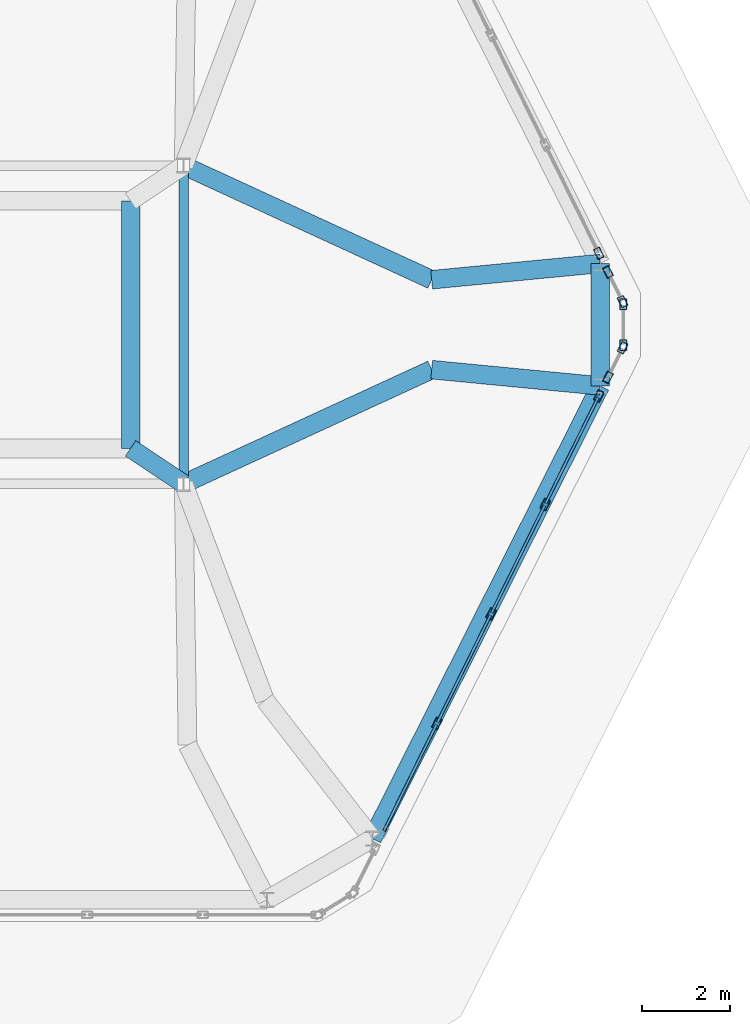
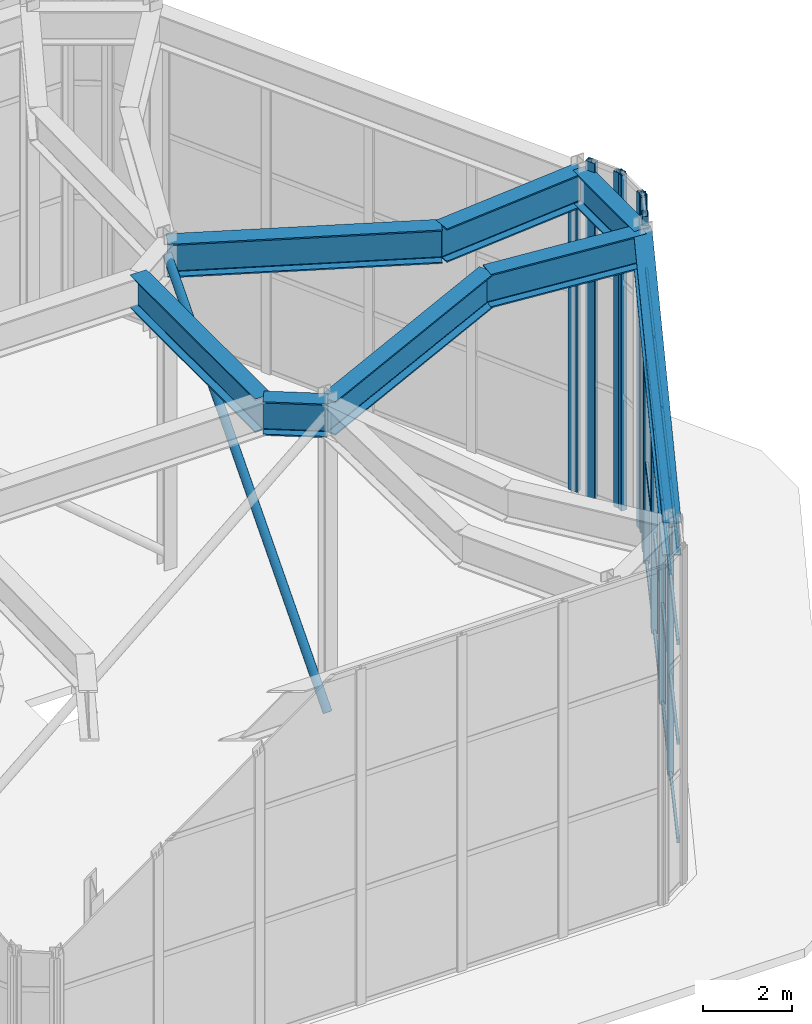
# One storey, part 4 of 10: 28 members, 8 beams, 5 elements without a shape of their own.
"""IFC4 building model written with IfcOpenShell, lengths in metres."""

import ifcopenshell
import ifcopenshell.guid

model = None  # the IFC model being written
_history = None  # IfcOwnerHistory: only IFC2X3 demands one
_inside = {}  # id of a spatial element -> (the spatial element, [elements in it])
_under = {}  # id of a project, library or spatial element -> (it, [spatial elements below it])
_declared = {}  # id of a project -> (the project, [libraries it declares])
_typed = {}  # id of a type object -> (the type object, [elements of that type])
_made_of = {}  # id of a material, layer set ... -> (it, [elements and type objects made of it])


def new_model(schema):
    """Start an empty IFC model of exactly this schema.

    Asked for "IFC4X3", IfcOpenShell would pick the latest addendum, in which some entities
    have other attributes; the version numbers below select the first issue.
    IFC2X3 requires an IfcOwnerHistory on every rooted entity: one is made here for all.
    """
    global model, _history
    if schema == "IFC4X3":
        model = ifcopenshell.file(schema_version=(4, 3, 0, 0))
    else:
        model = ifcopenshell.file(schema=schema)
    _inside.clear()
    _under.clear()
    _declared.clear()
    _typed.clear()
    _made_of.clear()
    _history = None
    if model.schema == "IFC2X3":
        org = make("IfcOrganization", Name="unknown")
        user = make(
            "IfcPersonAndOrganization",
            ThePerson=make("IfcPerson", FamilyName="unknown"),
            TheOrganization=org,
        )
        app = make(
            "IfcApplication",
            ApplicationDeveloper=org,
            Version="unknown",
            ApplicationFullName="unknown",
            ApplicationIdentifier="unknown",
        )
        _history = make(
            "IfcOwnerHistory",
            OwningUser=user,
            OwningApplication=app,
            ChangeAction="ADDED",
            CreationDate=0,
        )
    return model


def make(cls, **values):
    """One entity of the class cls with the attributes given. An attribute that is None is left unset."""
    return model.create_entity(
        cls, **{name: value for name, value in values.items() if value is not None}
    )


def rooted(cls, **values):
    """An entity with a GlobalId (a new one), such as an element, a storey or a relation."""
    return make(cls, GlobalId=ifcopenshell.guid.new(), OwnerHistory=_history, **values)


def si_unit(unit_type, name, prefix=None):
    """IfcSIUnit, for example si_unit("LENGTHUNIT", "METRE", prefix="MILLI")."""
    return make("IfcSIUnit", UnitType=unit_type, Prefix=prefix, Name=name)


def assignment(units):
    """IfcUnitAssignment: the units of a project."""
    return None if units is None else make("IfcUnitAssignment", Units=units)


def point(xyz):
    """IfcCartesianPoint."""
    return None if xyz is None else make("IfcCartesianPoint", Coordinates=xyz)


def direction(xyz):
    """IfcDirection."""
    return None if xyz is None else make("IfcDirection", DirectionRatios=xyz)


def frame(location, z_axis=None, x_axis=None):
    """IfcAxis2Placement3D, a coordinate frame: its origin and axes. An axis left out is left unset."""
    return make(
        "IfcAxis2Placement3D",
        Location=point(location),
        Axis=direction(z_axis),
        RefDirection=direction(x_axis),
    )


def frame_2d(location, x_axis=None):
    """IfcAxis2Placement2D, a coordinate frame in the plane: its origin and x axis."""
    return make(
        "IfcAxis2Placement2D", Location=point(location), RefDirection=direction(x_axis)
    )


def origin():
    """The frame at (0, 0, 0) with its axes left unset."""
    return frame((0.0, 0.0, 0.0))


def origin_2d():
    """The frame at (0, 0) in the plane with its x axis left unset."""
    return frame_2d((0.0, 0.0))


def place(relative_to, where):
    """IfcLocalPlacement: puts the frame where relative to a parent placement (None: the world)."""
    return make(
        "IfcLocalPlacement", PlacementRelTo=relative_to, RelativePlacement=where
    )


def context(
    kind, dimensions, precision=None, world=None, true_north=None, identifier=None
):
    """IfcGeometricRepresentationContext, for example the 3D "Model" context."""
    return make(
        "IfcGeometricRepresentationContext",
        ContextIdentifier=identifier,
        ContextType=kind,
        CoordinateSpaceDimension=dimensions,
        Precision=precision,
        WorldCoordinateSystem=world,
        TrueNorth=true_north,
    )


def subcontext(parent, identifier, kind, view, scale=None):
    """IfcGeometricRepresentationSubContext, for example "Body" below "Model"."""
    return make(
        "IfcGeometricRepresentationSubContext",
        ContextIdentifier=identifier,
        ContextType=kind,
        ParentContext=parent,
        TargetScale=scale,
        TargetView=view,
    )


def project(units=None, contexts=None):
    """IfcProject with its units and contexts."""
    return rooted(
        "IfcProject",
        Name="project",
        RepresentationContexts=contexts,
        UnitsInContext=assignment(units),
    )


def spatial(cls, under=None, at=None, **own):
    """A site, building, storey or space (cls), placed at a placement, below another one or the project."""
    s = rooted(cls, ObjectPlacement=at, **own)
    if under is not None:
        _under.setdefault(under.id(), (under, []))[1].append(s)
    return s


def profile(cls, at=None, kind="AREA", **sizes):
    """A parametric profile (cls). Its sizes go by their IFC names, for example OverallWidth=200.0."""
    return make(cls, ProfileType=kind, Position=at, **sizes)


def hollow_rectangle(**sizes):
    """IfcRectangleHollowProfileDef."""
    return profile("IfcRectangleHollowProfileDef", **sizes)


def hollow_circle(**sizes):
    """IfcCircleHollowProfileDef."""
    return profile("IfcCircleHollowProfileDef", **sizes)


def i_section(**sizes):
    """IfcIShapeProfileDef."""
    return profile("IfcIShapeProfileDef", **sizes)


def extrude(swept, where, along, depth):
    """IfcExtrudedAreaSolid: the profile swept, set in the frame where, extruded along a direction by depth."""
    return make(
        "IfcExtrudedAreaSolid",
        SweptArea=swept,
        Position=where,
        ExtrudedDirection=direction(along),
        Depth=depth,
    )


def shape(context_of_items, identifier, shape_type, items):
    """IfcShapeRepresentation: the items that make up one representation, for example the "Body"."""
    return make(
        "IfcShapeRepresentation",
        ContextOfItems=context_of_items,
        RepresentationIdentifier=identifier,
        RepresentationType=shape_type,
        Items=items,
    )


def material(Name=None, Category=None):
    """IfcMaterial."""
    return make("IfcMaterial", Name=Name, Category=Category)


def layer(
    of_material, thickness, ventilated=None, Name=None, Category=None, Priority=None
):
    """IfcMaterialLayer: one layer of a wall or slab, of a material (None: an air gap)."""
    return make(
        "IfcMaterialLayer",
        Material=of_material,
        LayerThickness=thickness,
        IsVentilated=ventilated,
        Name=Name,
        Category=Category,
        Priority=Priority,
    )


def layer_set(layers, Name=None):
    """IfcMaterialLayerSet."""
    return make("IfcMaterialLayerSet", MaterialLayers=layers, LayerSetName=Name)


def material_profile(
    of_material, cross_section, Name=None, Category=None, Priority=None
):
    """IfcMaterialProfile: a cross section and its material."""
    return make(
        "IfcMaterialProfile",
        Name=Name,
        Material=of_material,
        Profile=cross_section,
        Priority=Priority,
        Category=Category,
    )


def profile_set(profiles, Name=None, composite=None):
    """IfcMaterialProfileSet."""
    return make(
        "IfcMaterialProfileSet",
        Name=Name,
        MaterialProfiles=profiles,
        CompositeProfile=composite,
    )


def made_of(thing, what):
    """Note that an element or type object is made of a material, layer set ...; save() writes the relation."""
    if what is not None:
        _made_of.setdefault(what.id(), (what, []))[1].append(thing)
    return thing


def type_object(cls, material=None, **own):
    """A type object (cls), such as IfcWallType, which elements share."""
    return made_of(rooted(cls, **own), material)


def element(
    cls,
    number,
    at=None,
    inside=None,
    cuts=None,
    type_object=None,
    material=None,
    context=None,
    identifier="Body",
    shape_type=None,
    held_by="IfcProductDefinitionShape",
    body=None,
    shapes=None,
    **own,
):
    """One element of the class cls, such as IfcWall. Its Tag is "e" and its number.

    at: its placement. inside: the storey or other place that contains it. cuts: it is an
    opening in that element (IfcRelVoidsElement). A single representation is given by context,
    identifier, shape_type and body (its items); several are given by shapes. held_by: the class
    of the entity that holds the representations. save() writes the other relations.
    """
    e = rooted(cls, Tag="e%d" % number, ObjectPlacement=at, **own)
    if body is not None:
        shapes = [shape(context, identifier, shape_type, body)]
    if shapes is not None:
        e.Representation = make(held_by, Representations=shapes)
    if inside is not None:
        _inside.setdefault(inside.id(), (inside, []))[1].append(e)
    if cuts is not None:
        rooted(
            "IfcRelVoidsElement", RelatingBuildingElement=cuts, RelatedOpeningElement=e
        )
    if type_object is not None:
        _typed.setdefault(type_object.id(), (type_object, []))[1].append(e)
    return made_of(e, material)


def aggregate(whole, parts):
    """IfcRelAggregates: a whole, such as a stair, and the parts it consists of."""
    return rooted("IfcRelAggregates", RelatingObject=whole, RelatedObjects=parts)


def save(model, path):
    """Write the relations noted so far, then the file.

    IfcRelAggregates (storeys below a building ...), IfcRelContainedInSpatialStructure (elements
    in a storey), IfcRelDefinesByType, IfcRelAssociatesMaterial and IfcRelDeclares: one each for
    every whole, place, type object, material and project.
    """
    for whole, parts in _under.values():
        aggregate(whole, parts)
    for where, things in _inside.values():
        rooted(
            "IfcRelContainedInSpatialStructure",
            RelatedElements=things,
            RelatingStructure=where,
        )
    for kind, things in _typed.values():
        rooted("IfcRelDefinesByType", RelatedObjects=things, RelatingType=kind)
    for what, things in _made_of.values():
        rooted("IfcRelAssociatesMaterial", RelatedObjects=things, RelatingMaterial=what)
    for by, libraries in _declared.values():
        rooted("IfcRelDeclares", RelatingContext=by, RelatedDefinitions=libraries)
    model.write(path)


model = new_model("IFC4")

# Units and contexts
model_context = context("Model", 3, precision=1e-05, world=origin(), true_north=direction((0.0, 1.0)))
body_context = subcontext(model_context, "Body", "Model", "MODEL_VIEW")
ifc_project = project(units=[si_unit("LENGTHUNIT", "METRE"), si_unit("AREAUNIT", "SQUARE_METRE"), si_unit("VOLUMEUNIT", "CUBIC_METRE"), si_unit("PLANEANGLEUNIT", "RADIAN"), si_unit("MASSUNIT", "GRAM", prefix="KILO")], contexts=[model_context])

# Site, building, storey
site_placement = place(None, origin())
site = spatial("IfcSite", under=ifc_project, at=site_placement, CompositionType="ELEMENT")
building_placement = place(site_placement, origin())
building = spatial("IfcBuilding", under=site, at=building_placement, Name="Cinnabar Lancet Tower", CompositionType="ELEMENT")
storey_placement = place(building_placement, frame((0.0, 0.0, 314.675048828125)))
storey = spatial("IfcBuildingStorey", under=building, at=storey_placement, Name="L81", CompositionType="ELEMENT", Elevation=314.675048828125)

# Curtain wall, members
ifc_material_1 = material(Name="Thermally broken bronze-anodized aluminium and low-E glass", Category="aluminium")
ifc_layer = layer(ifc_material_1, 0.179931640625)
ifc_layer_set = layer_set([ifc_layer], Name="Thermally broken bronze-anodized aluminium and low-E glass")
curtain_wall_type = type_object("IfcCurtainWallType", Name="ENV-CW-SYS-05", PredefinedType="NOTDEFINED", material=ifc_layer_set)
curtain_wall_1_placement = place(storey_placement, origin())
curtain_wall_1 = element("IfcCurtainWall", 1, at=curtain_wall_1_placement, inside=storey, type_object=curtain_wall_type, Name="L81 Faceted Lancet Crown Curtain Wall 5", PredefinedType="NOTDEFINED")
ifc_material_2 = material(Name="Anodized architectural aluminium 6063-T6", Category="aluminium")
ifc_material_profile_1 = material_profile(ifc_material_2, hollow_rectangle(XDim=0.14990234375, YDim=0.25, WallThickness=0.010009765625, InnerFilletRadius=0.0048828125, OuterFilletRadius=0.014892578125, at=origin_2d()), Name="RHS 250x150x10")
ifc_profile_set_1 = profile_set([ifc_material_profile_1], Name="Anodized architectural aluminium 6063-T6")
member_type_1 = type_object("IfcMemberType", Name="ENV-CW-MUL-260", PredefinedType="MULLION", material=ifc_profile_set_1)
member_1_placement = place(storey_placement, frame((42.93115234375, 16.777099609375, 0.0), z_axis=(0.0, 0.0, 1.0), x_axis=(-0.896551648599, 0.442939207335, 0.0)))
member_1 = element("IfcMember", 2, at=member_1_placement, type_object=member_type_1, Name="CW-05 mullion 2", PredefinedType="MULLION", context=body_context, shape_type="SweptSolid", body=[
    extrude(hollow_rectangle(XDim=0.14990234375, YDim=0.25, WallThickness=0.010009765625, InnerFilletRadius=0.0048828125, OuterFilletRadius=0.014892578125, at=origin_2d()), origin(), (0.0, 0.0, 1.0), 7.993896484375),
])
member_2_placement = place(storey_placement, frame((44.155517578125, 19.2548828125, 0.0), z_axis=(0.0, 0.0, 1.0), x_axis=(-0.896551648599, 0.442939207335, 0.0)))
member_2 = element("IfcMember", 3, at=member_2_placement, type_object=member_type_1, Name="CW-05 mullion 3", PredefinedType="MULLION", context=body_context, shape_type="SweptSolid", body=[
    extrude(hollow_rectangle(XDim=0.14990234375, YDim=0.25, WallThickness=0.010009765625, InnerFilletRadius=0.0048828125, OuterFilletRadius=0.014892578125, at=origin_2d()), origin(), (0.0, 0.0, 1.0), 7.993896484375),
])
member_3_placement = place(storey_placement, frame((45.379638671875, 21.73291015625, 0.0), z_axis=(0.0, 0.0, 1.0), x_axis=(-0.896551648599, 0.442939207335, 0.0)))
member_3 = element("IfcMember", 4, at=member_3_placement, type_object=member_type_1, Name="CW-05 mullion 4", PredefinedType="MULLION", context=body_context, shape_type="SweptSolid", body=[
    extrude(hollow_rectangle(XDim=0.14990234375, YDim=0.25, WallThickness=0.010009765625, InnerFilletRadius=0.0048828125, OuterFilletRadius=0.014892578125, at=origin_2d()), origin(), (0.0, 0.0, 1.0), 7.993896484375),
])
member_4_placement = place(storey_placement, frame((46.5908203125, 24.18408203125, 0.0), z_axis=(0.0, 0.0, 1.0), x_axis=(-0.896551648599, 0.442939207335, 0.0)))
member_4 = element("IfcMember", 5, at=member_4_placement, type_object=member_type_1, Name="CW-05 mullion 5", PredefinedType="MULLION", context=body_context, shape_type="SweptSolid", body=[
    extrude(hollow_rectangle(XDim=0.14990234375, YDim=0.25, WallThickness=0.010009765625, InnerFilletRadius=0.0048828125, OuterFilletRadius=0.014892578125, at=origin_2d()), origin(), (0.0, 0.0, 1.0), 7.993896484375),
])

curtain_wall_2_placement = place(storey_placement, origin())
curtain_wall_2 = element("IfcCurtainWall", 6, at=curtain_wall_2_placement, inside=storey, type_object=curtain_wall_type, Name="L81 Faceted Lancet Crown Curtain Wall 6", PredefinedType="NOTDEFINED")
member_5_placement = place(storey_placement, frame((46.79931640625, 24.60693359375, 0.0), z_axis=(0.0, 0.0, 1.0), x_axis=(-0.89663617767, 0.442768071222, 0.0)))
member_5 = element("IfcMember", 7, at=member_5_placement, type_object=member_type_1, Name="CW-05 mullion 1", PredefinedType="MULLION", context=body_context, shape_type="SweptSolid", body=[
    extrude(hollow_rectangle(XDim=0.14990234375, YDim=0.25, WallThickness=0.010009765625, InnerFilletRadius=0.0048828125, OuterFilletRadius=0.014892578125, at=origin_2d()), origin(), (0.0, 0.0, 1.0), 9.175048828125),
])
member_6_placement = place(storey_placement, frame((47.1318359375, 25.280029296875, 0.0), z_axis=(0.0, 0.0, 1.0), x_axis=(-0.89663617767, 0.442768071222, 0.0)))
member_6 = element("IfcMember", 8, at=member_6_placement, type_object=member_type_1, Name="CW-05 mullion 2", PredefinedType="MULLION", context=body_context, shape_type="SweptSolid", body=[
    extrude(hollow_rectangle(XDim=0.14990234375, YDim=0.25, WallThickness=0.010009765625, InnerFilletRadius=0.0048828125, OuterFilletRadius=0.014892578125, at=origin_2d()), origin(), (0.0, 0.0, 1.0), 9.175048828125),
])
aggregate(curtain_wall_2, [member_5, member_6])

curtain_wall_3_placement = place(storey_placement, origin())
curtain_wall_3 = element("IfcCurtainWall", 9, at=curtain_wall_3_placement, inside=storey, type_object=curtain_wall_type, Name="L81 Faceted Lancet Crown Curtain Wall 7", PredefinedType="NOTDEFINED")
member_7_placement = place(storey_placement, frame((47.14501953125, 25.3369140625, 0.0), z_axis=(0.0, 0.0, 1.0), x_axis=(-1.0, 0.0, 0.0)))
member_7 = element("IfcMember", 10, at=member_7_placement, type_object=member_type_1, Name="CW-05 mullion 1", PredefinedType="MULLION", context=body_context, shape_type="SweptSolid", body=[
    extrude(hollow_rectangle(XDim=0.14990234375, YDim=0.25, WallThickness=0.010009765625, InnerFilletRadius=0.0048828125, OuterFilletRadius=0.014892578125, at=origin_2d()), origin(), (0.0, 0.0, 1.0), 9.175048828125),
])
member_8_placement = place(storey_placement, frame((47.14501953125, 26.262939453125, 0.0), z_axis=(0.0, 0.0, 1.0), x_axis=(-1.0, 0.0, 0.0)))
member_8 = element("IfcMember", 11, at=member_8_placement, type_object=member_type_1, Name="CW-05 mullion 2", PredefinedType="MULLION", context=body_context, shape_type="SweptSolid", body=[
    extrude(hollow_rectangle(XDim=0.14990234375, YDim=0.25, WallThickness=0.010009765625, InnerFilletRadius=0.0048828125, OuterFilletRadius=0.014892578125, at=origin_2d()), origin(), (0.0, 0.0, 1.0), 9.175048828125),
])
aggregate(curtain_wall_3, [member_7, member_8])

curtain_wall_4_placement = place(storey_placement, origin())
curtain_wall_4 = element("IfcCurtainWall", 12, at=curtain_wall_4_placement, inside=storey, type_object=curtain_wall_type, Name="L81 Faceted Lancet Crown Curtain Wall 8", PredefinedType="NOTDEFINED")
member_9_placement = place(storey_placement, frame((47.1318359375, 26.31982421875, 0.0), z_axis=(0.0, 0.0, 1.0), x_axis=(-0.89663617767, -0.442768071222, 0.0)))
member_9 = element("IfcMember", 13, at=member_9_placement, type_object=member_type_1, Name="CW-05 mullion 1", PredefinedType="MULLION", context=body_context, shape_type="SweptSolid", body=[
    extrude(hollow_rectangle(XDim=0.14990234375, YDim=0.25, WallThickness=0.010009765625, InnerFilletRadius=0.0048828125, OuterFilletRadius=0.014892578125, at=origin_2d()), origin(), (0.0, 0.0, 1.0), 9.175048828125),
])
member_10_placement = place(storey_placement, frame((46.79931640625, 26.9931640625, 0.0), z_axis=(0.0, 0.0, 1.0), x_axis=(-0.89663617767, -0.442768071222, 0.0)))
member_10 = element("IfcMember", 14, at=member_10_placement, type_object=member_type_1, Name="CW-05 mullion 2", PredefinedType="MULLION", context=body_context, shape_type="SweptSolid", body=[
    extrude(hollow_rectangle(XDim=0.14990234375, YDim=0.25, WallThickness=0.010009765625, InnerFilletRadius=0.0048828125, OuterFilletRadius=0.014892578125, at=origin_2d()), origin(), (0.0, 0.0, 1.0), 9.175048828125),
])
aggregate(curtain_wall_4, [member_9, member_10])

# Curtain wall, member
curtain_wall_5_placement = place(storey_placement, origin())
curtain_wall_5 = element("IfcCurtainWall", 15, at=curtain_wall_5_placement, inside=storey, type_object=curtain_wall_type, Name="L81 Faceted Lancet Crown Curtain Wall 9", PredefinedType="NOTDEFINED")
member_11_placement = place(storey_placement, frame((46.5908203125, 27.416015625, 0.0), z_axis=(0.0, 0.0, 1.0), x_axis=(-0.896551648599, -0.442939207335, 0.0)))
member_11 = element("IfcMember", 16, at=member_11_placement, type_object=member_type_1, Name="CW-05 mullion 1", PredefinedType="MULLION", context=body_context, shape_type="SweptSolid", body=[
    extrude(hollow_rectangle(XDim=0.14990234375, YDim=0.25, WallThickness=0.010009765625, InnerFilletRadius=0.0048828125, OuterFilletRadius=0.014892578125, at=origin_2d()), origin(), (0.0, 0.0, 1.0), 7.993896484375),
])
aggregate(curtain_wall_5, [member_11])

# Member
ifc_material_3 = material(Name="Anodized architectural aluminium 6063-T6", Category="aluminium")
ifc_material_profile_2 = material_profile(ifc_material_3, hollow_rectangle(XDim=0.06494140625, YDim=0.14990234375, WallThickness=0.00390625, InnerFilletRadius=0.001953125, OuterFilletRadius=0.006103515625, at=origin_2d()), Name="CW-TRN 150x65x4")
ifc_profile_set_2 = profile_set([ifc_material_profile_2], Name="Anodized architectural aluminium 6063-T6")
member_type_2 = type_object("IfcMemberType", Name="ENV-CW-TRN-160", PredefinedType="USERDEFINED", material=ifc_profile_set_2)
member_12_placement = place(storey_placement, frame((41.733642578125, 14.352783203125, 0.030029296875), z_axis=(0.442935275525, 0.89655359109, 0.0), x_axis=(-0.89655359109, 0.442935275525, 0.0)))
member_12 = element("IfcMember", 17, at=member_12_placement, type_object=member_type_2, Name="CW-05 transom 1.1", ObjectType="TRANSOM", PredefinedType="USERDEFINED", context=body_context, shape_type="SweptSolid", body=[
    extrude(hollow_rectangle(XDim=0.06494140625, YDim=0.14990234375, WallThickness=0.00390625, InnerFilletRadius=0.001953125, OuterFilletRadius=0.006103515625, at=origin_2d()), origin(), (0.0, 0.0, 1.0), 2.673828125),
])

member_13_placement = place(storey_placement, frame((41.733642578125, 14.352783203125, 2.718017578125), z_axis=(0.442935275525, 0.89655359109, 0.0), x_axis=(-0.89655359109, 0.442935275525, 0.0)))
member_13 = element("IfcMember", 18, at=member_13_placement, type_object=member_type_2, Name="CW-05 transom 1.2", ObjectType="TRANSOM", PredefinedType="USERDEFINED", context=body_context, shape_type="SweptSolid", body=[
    extrude(hollow_rectangle(XDim=0.06494140625, YDim=0.14990234375, WallThickness=0.00390625, InnerFilletRadius=0.001953125, OuterFilletRadius=0.006103515625, at=origin_2d()), origin(), (0.0, 0.0, 1.0), 2.673828125),
])

member_14_placement = place(storey_placement, frame((41.733642578125, 14.352783203125, 5.43603515625), z_axis=(0.442935275525, 0.89655359109, 0.0), x_axis=(-0.89655359109, 0.442935275525, 0.0)))
member_14 = element("IfcMember", 19, at=member_14_placement, type_object=member_type_2, Name="CW-05 transom 1.3", ObjectType="TRANSOM", PredefinedType="USERDEFINED", context=body_context, shape_type="SweptSolid", body=[
    extrude(hollow_rectangle(XDim=0.06494140625, YDim=0.14990234375, WallThickness=0.00390625, InnerFilletRadius=0.001953125, OuterFilletRadius=0.006103515625, at=origin_2d()), origin(), (0.0, 0.0, 1.0), 2.673828125),
])

member_15_placement = place(storey_placement, frame((41.733642578125, 14.352783203125, 7.9638671875), z_axis=(0.442935275525, 0.89655359109, 0.0), x_axis=(-0.89655359109, 0.442935275525, 0.0)))
member_15 = element("IfcMember", 20, at=member_15_placement, type_object=member_type_2, Name="CW-05 transom 1.4", ObjectType="TRANSOM", PredefinedType="USERDEFINED", context=body_context, shape_type="SweptSolid", body=[
    extrude(hollow_rectangle(XDim=0.06494140625, YDim=0.14990234375, WallThickness=0.00390625, InnerFilletRadius=0.001953125, OuterFilletRadius=0.006103515625, at=origin_2d()), origin(), (0.0, 0.0, 1.0), 2.673828125),
])

member_16_placement = place(storey_placement, frame((42.944580078125, 16.803955078125, 0.030029296875), z_axis=(0.442910260823, 0.896565948973, 0.0), x_axis=(-0.896565948973, 0.442910260823, 0.0)))
member_16 = element("IfcMember", 21, at=member_16_placement, type_object=member_type_2, Name="CW-05 transom 2.1", ObjectType="TRANSOM", PredefinedType="USERDEFINED", context=body_context, shape_type="SweptSolid", body=[
    extrude(hollow_rectangle(XDim=0.06494140625, YDim=0.14990234375, WallThickness=0.00390625, InnerFilletRadius=0.001953125, OuterFilletRadius=0.006103515625, at=origin_2d()), origin(), (0.0, 0.0, 1.0), 2.70361328125),
])

member_17_placement = place(storey_placement, frame((42.944580078125, 16.803955078125, 2.718017578125), z_axis=(0.442910260823, 0.896565948973, 0.0), x_axis=(-0.896565948973, 0.442910260823, 0.0)))
member_17 = element("IfcMember", 22, at=member_17_placement, type_object=member_type_2, Name="CW-05 transom 2.2", ObjectType="TRANSOM", PredefinedType="USERDEFINED", context=body_context, shape_type="SweptSolid", body=[
    extrude(hollow_rectangle(XDim=0.06494140625, YDim=0.14990234375, WallThickness=0.00390625, InnerFilletRadius=0.001953125, OuterFilletRadius=0.006103515625, at=origin_2d()), origin(), (0.0, 0.0, 1.0), 2.70361328125),
])

member_18_placement = place(storey_placement, frame((42.944580078125, 16.803955078125, 5.43603515625), z_axis=(0.442910260823, 0.896565948973, 0.0), x_axis=(-0.896565948973, 0.442910260823, 0.0)))
member_18 = element("IfcMember", 23, at=member_18_placement, type_object=member_type_2, Name="CW-05 transom 2.3", ObjectType="TRANSOM", PredefinedType="USERDEFINED", context=body_context, shape_type="SweptSolid", body=[
    extrude(hollow_rectangle(XDim=0.06494140625, YDim=0.14990234375, WallThickness=0.00390625, InnerFilletRadius=0.001953125, OuterFilletRadius=0.006103515625, at=origin_2d()), origin(), (0.0, 0.0, 1.0), 2.70361328125),
])

member_19_placement = place(storey_placement, frame((42.944580078125, 16.803955078125, 7.9638671875), z_axis=(0.442910260823, 0.896565948973, 0.0), x_axis=(-0.896565948973, 0.442910260823, 0.0)))
member_19 = element("IfcMember", 24, at=member_19_placement, type_object=member_type_2, Name="CW-05 transom 2.4", ObjectType="TRANSOM", PredefinedType="USERDEFINED", context=body_context, shape_type="SweptSolid", body=[
    extrude(hollow_rectangle(XDim=0.06494140625, YDim=0.14990234375, WallThickness=0.00390625, InnerFilletRadius=0.001953125, OuterFilletRadius=0.006103515625, at=origin_2d()), origin(), (0.0, 0.0, 1.0), 2.70361328125),
])

member_20_placement = place(storey_placement, frame((44.168701171875, 19.281982421875, 0.030029296875), z_axis=(0.442982840521, 0.896530090406, 0.0), x_axis=(-0.896530090406, 0.442982840521, 0.0)))
member_20 = element("IfcMember", 25, at=member_20_placement, type_object=member_type_2, Name="CW-05 transom 3.1", ObjectType="TRANSOM", PredefinedType="USERDEFINED", context=body_context, shape_type="SweptSolid", body=[
    extrude(hollow_rectangle(XDim=0.06494140625, YDim=0.14990234375, WallThickness=0.00390625, InnerFilletRadius=0.001953125, OuterFilletRadius=0.006103515625, at=origin_2d()), origin(), (0.0, 0.0, 1.0), 2.703857421875),
])

member_21_placement = place(storey_placement, frame((44.168701171875, 19.281982421875, 2.718017578125), z_axis=(0.442982840521, 0.896530090406, 0.0), x_axis=(-0.896530090406, 0.442982840521, 0.0)))
member_21 = element("IfcMember", 26, at=member_21_placement, type_object=member_type_2, Name="CW-05 transom 3.2", ObjectType="TRANSOM", PredefinedType="USERDEFINED", context=body_context, shape_type="SweptSolid", body=[
    extrude(hollow_rectangle(XDim=0.06494140625, YDim=0.14990234375, WallThickness=0.00390625, InnerFilletRadius=0.001953125, OuterFilletRadius=0.006103515625, at=origin_2d()), origin(), (0.0, 0.0, 1.0), 2.703857421875),
])

member_22_placement = place(storey_placement, frame((44.168701171875, 19.281982421875, 5.43603515625), z_axis=(0.442982840521, 0.896530090406, 0.0), x_axis=(-0.896530090406, 0.442982840521, 0.0)))
member_22 = element("IfcMember", 27, at=member_22_placement, type_object=member_type_2, Name="CW-05 transom 3.3", ObjectType="TRANSOM", PredefinedType="USERDEFINED", context=body_context, shape_type="SweptSolid", body=[
    extrude(hollow_rectangle(XDim=0.06494140625, YDim=0.14990234375, WallThickness=0.00390625, InnerFilletRadius=0.001953125, OuterFilletRadius=0.006103515625, at=origin_2d()), origin(), (0.0, 0.0, 1.0), 2.703857421875),
])

member_23_placement = place(storey_placement, frame((44.168701171875, 19.281982421875, 7.9638671875), z_axis=(0.442982840521, 0.896530090406, 0.0), x_axis=(-0.896530090406, 0.442982840521, 0.0)))
member_23 = element("IfcMember", 28, at=member_23_placement, type_object=member_type_2, Name="CW-05 transom 3.4", ObjectType="TRANSOM", PredefinedType="USERDEFINED", context=body_context, shape_type="SweptSolid", body=[
    extrude(hollow_rectangle(XDim=0.06494140625, YDim=0.14990234375, WallThickness=0.00390625, InnerFilletRadius=0.001953125, OuterFilletRadius=0.006103515625, at=origin_2d()), origin(), (0.0, 0.0, 1.0), 2.703857421875),
])

member_24_placement = place(storey_placement, frame((45.39306640625, 21.760009765625, 0.030029296875), z_axis=(0.442935275525, 0.89655359109, 0.0), x_axis=(-0.89655359109, 0.442935275525, 0.0)))
member_24 = element("IfcMember", 29, at=member_24_placement, type_object=member_type_2, Name="CW-05 transom 4.1", ObjectType="TRANSOM", PredefinedType="USERDEFINED", context=body_context, shape_type="SweptSolid", body=[
    extrude(hollow_rectangle(XDim=0.06494140625, YDim=0.14990234375, WallThickness=0.00390625, InnerFilletRadius=0.001953125, OuterFilletRadius=0.006103515625, at=origin_2d()), origin(), (0.0, 0.0, 1.0), 2.673828125),
])

member_25_placement = place(storey_placement, frame((45.39306640625, 21.760009765625, 2.718017578125), z_axis=(0.442935275525, 0.89655359109, 0.0), x_axis=(-0.89655359109, 0.442935275525, 0.0)))
member_25 = element("IfcMember", 30, at=member_25_placement, type_object=member_type_2, Name="CW-05 transom 4.2", ObjectType="TRANSOM", PredefinedType="USERDEFINED", context=body_context, shape_type="SweptSolid", body=[
    extrude(hollow_rectangle(XDim=0.06494140625, YDim=0.14990234375, WallThickness=0.00390625, InnerFilletRadius=0.001953125, OuterFilletRadius=0.006103515625, at=origin_2d()), origin(), (0.0, 0.0, 1.0), 2.673828125),
])

member_26_placement = place(storey_placement, frame((45.39306640625, 21.760009765625, 5.43603515625), z_axis=(0.442935275525, 0.89655359109, 0.0), x_axis=(-0.89655359109, 0.442935275525, 0.0)))
member_26 = element("IfcMember", 31, at=member_26_placement, type_object=member_type_2, Name="CW-05 transom 4.3", ObjectType="TRANSOM", PredefinedType="USERDEFINED", context=body_context, shape_type="SweptSolid", body=[
    extrude(hollow_rectangle(XDim=0.06494140625, YDim=0.14990234375, WallThickness=0.00390625, InnerFilletRadius=0.001953125, OuterFilletRadius=0.006103515625, at=origin_2d()), origin(), (0.0, 0.0, 1.0), 2.673828125),
])

member_27_placement = place(storey_placement, frame((45.39306640625, 21.760009765625, 7.9638671875), z_axis=(0.442935275525, 0.89655359109, 0.0), x_axis=(-0.89655359109, 0.442935275525, 0.0)))
member_27 = element("IfcMember", 32, at=member_27_placement, type_object=member_type_2, Name="CW-05 transom 4.4", ObjectType="TRANSOM", PredefinedType="USERDEFINED", context=body_context, shape_type="SweptSolid", body=[
    extrude(hollow_rectangle(XDim=0.06494140625, YDim=0.14990234375, WallThickness=0.00390625, InnerFilletRadius=0.001953125, OuterFilletRadius=0.006103515625, at=origin_2d()), origin(), (0.0, 0.0, 1.0), 2.673828125),
])

aggregate(curtain_wall_1, [member_1, member_2, member_3, member_4, member_12, member_13, member_14, member_15, member_16, member_17, member_18, member_19, member_20, member_21, member_22, member_23, member_24, member_25, member_26, member_27])

# Beams
ifc_material_4 = material(Name="Structural steel S460", Category="steel")
ifc_material_profile_3 = material_profile(ifc_material_4, i_section(OverallWidth=0.42041015625, OverallDepth=0.9208984375, WebThickness=0.021484375, FlangeThickness=0.03662109375, FilletRadius=0.024169921875, at=origin_2d()), Name="UKB 914x419x388")
ifc_profile_set_3 = profile_set([ifc_material_profile_3], Name="Structural steel S460")
beam_type = type_object("IfcBeamType", Name="STR-BM-UKB914-388", PredefinedType="BEAM", material=ifc_profile_set_3)
beam_1_placement = place(storey_placement, frame((41.468994140625, 14.172119140625, 8.4638671875), z_axis=(0.449689931848, 0.893184731841, 0.0), x_axis=(-0.893184731841, 0.449689931848, 0.0)))
element("IfcBeam", 33, at=beam_1_placement, inside=storey, type_object=beam_type, Name="L82 Setback Outer Ring Girder 3", PredefinedType="BEAM", context=body_context, shape_type="SweptSolid", body=[
    extrude(i_section(OverallWidth=0.42041015625, OverallDepth=0.9208984375, WebThickness=0.021484375, FlangeThickness=0.03662109375, FilletRadius=0.024169921875, at=origin_2d()), origin(), (0.0, 0.0, 1.0), 11.4677734375),
])
beam_2_placement = place(storey_placement, frame((46.6259765625, 24.4150390625, 8.4638671875), z_axis=(0.0, 1.0, 0.0), x_axis=(-1.0, 0.0, 0.0)))
element("IfcBeam", 34, at=beam_2_placement, inside=storey, type_object=beam_type, Name="L82 Setback Outer Ring Girder 4", PredefinedType="BEAM", context=body_context, shape_type="SweptSolid", body=[
    extrude(i_section(OverallWidth=0.42041015625, OverallDepth=0.9208984375, WebThickness=0.021484375, FlangeThickness=0.03662109375, FilletRadius=0.024169921875, at=origin_2d()), origin(), (0.0, 0.0, 1.0), 2.77001953125),
])
beam_3_placement = place(storey_placement, frame((46.6259765625, 24.4150390625, 8.4638671875), z_axis=(-0.995381678425, 0.095996428349, 0.0), x_axis=(-0.095996428349, -0.995381678425, 0.0)))
element("IfcBeam", 35, at=beam_3_placement, inside=storey, type_object=beam_type, Name="L82 Crown Setback Strut Girder 4", PredefinedType="BEAM", context=body_context, shape_type="SweptSolid", body=[
    extrude(i_section(OverallWidth=0.42041015625, OverallDepth=0.9208984375, WebThickness=0.021484375, FlangeThickness=0.03662109375, FilletRadius=0.024169921875, at=origin_2d()), origin(), (0.0, 0.0, 1.0), 3.832763671875),
])
beam_4_placement = place(storey_placement, frame((42.81103515625, 24.782958984375, 8.4638671875), z_axis=(-0.908373072333, -0.418160688565, 0.0), x_axis=(0.418160688565, -0.908373072333, 0.0)))
element("IfcBeam", 36, at=beam_4_placement, inside=storey, type_object=beam_type, Name="L82 Crown Setback Radial Girder 4", PredefinedType="BEAM", context=body_context, shape_type="SweptSolid", body=[
    extrude(i_section(OverallWidth=0.42041015625, OverallDepth=0.9208984375, WebThickness=0.021484375, FlangeThickness=0.03662109375, FilletRadius=0.024169921875, at=origin_2d()), origin(), (0.0, 0.0, 1.0), 6.177001953125),
])
beam_5_placement = place(storey_placement, frame((46.6259765625, 27.18505859375, 8.4638671875), z_axis=(-0.995375589696, -0.096059541102, 0.0), x_axis=(0.096059541102, -0.995375589696, 0.0)))
element("IfcBeam", 37, at=beam_5_placement, inside=storey, type_object=beam_type, Name="L82 Crown Setback Strut Girder 5", PredefinedType="BEAM", context=body_context, shape_type="SweptSolid", body=[
    extrude(i_section(OverallWidth=0.42041015625, OverallDepth=0.9208984375, WebThickness=0.021484375, FlangeThickness=0.03662109375, FilletRadius=0.024169921875, at=origin_2d()), origin(), (0.0, 0.0, 1.0), 3.832763671875),
])
beam_6_placement = place(storey_placement, frame((42.81103515625, 26.81689453125, 8.4638671875), z_axis=(-0.908373072333, 0.418160688565, 0.0), x_axis=(-0.418160688565, -0.908373072333, 0.0)))
element("IfcBeam", 38, at=beam_6_placement, inside=storey, type_object=beam_type, Name="L82 Crown Setback Radial Girder 5", PredefinedType="BEAM", context=body_context, shape_type="SweptSolid", body=[
    extrude(i_section(OverallWidth=0.42041015625, OverallDepth=0.9208984375, WebThickness=0.021484375, FlangeThickness=0.03662109375, FilletRadius=0.024169921875, at=origin_2d()), origin(), (0.0, 0.0, 1.0), 6.177001953125),
])
beam_7_placement = place(storey_placement, frame((37.199951171875, 22.199951171875, 8.4638671875), z_axis=(-0.832024249935, 0.554739260842, 0.0), x_axis=(-0.554739260842, -0.832024249935, 0.0)))
element("IfcBeam", 39, at=beam_7_placement, inside=storey, type_object=beam_type, Name="L82 Crown Inner Ring Transfer 2", PredefinedType="BEAM", context=body_context, shape_type="SweptSolid", body=[
    extrude(i_section(OverallWidth=0.42041015625, OverallDepth=0.9208984375, WebThickness=0.021484375, FlangeThickness=0.03662109375, FilletRadius=0.024169921875, at=origin_2d()), origin(), (0.0, 0.0, 1.0), 1.442138671875),
])
beam_8_placement = place(storey_placement, frame((36.0, 23.0, 8.4638671875), z_axis=(0.0, 1.0, 0.0), x_axis=(-1.0, 0.0, 0.0)))
element("IfcBeam", 40, at=beam_8_placement, inside=storey, type_object=beam_type, Name="L82 Crown Inner Ring Tie 2", PredefinedType="BEAM", context=body_context, shape_type="SweptSolid", body=[
    extrude(i_section(OverallWidth=0.42041015625, OverallDepth=0.9208984375, WebThickness=0.021484375, FlangeThickness=0.03662109375, FilletRadius=0.024169921875, at=origin_2d()), origin(), (0.0, 0.0, 1.0), 5.60009765625),
])

# Member
ifc_material_5 = material(Name="Structural steel S460", Category="steel")
ifc_material_profile_4 = material_profile(ifc_material_5, hollow_circle(Radius=0.109619140625, WallThickness=0.010009765625, at=origin_2d()), Name="CHS 219.1x10")
ifc_profile_set_4 = profile_set([ifc_material_profile_4], Name="Structural steel S460")
member_type_3 = type_object("IfcMemberType", Name="STR-MEM-CRN-BRC219", PredefinedType="BRACE", material=ifc_profile_set_4)
member_28_placement = place(storey_placement, frame((37.199951171875, 22.199951171875, 0.349853515625), z_axis=(0.0, 0.660933495554, 0.75044447793), x_axis=(-1.0, 0.0, 0.0)))
element("IfcMember", 41, at=member_28_placement, inside=storey, type_object=member_type_3, Name="L81 Crown Lancet Core Brace 2", PredefinedType="BRACE", context=body_context, shape_type="SweptSolid", body=[
    extrude(hollow_circle(Radius=0.109619140625, WallThickness=0.010009765625, at=origin_2d()), origin(), (0.0, 0.0, 1.0), 10.8935546875),
])

save(model, "model.ifc")
